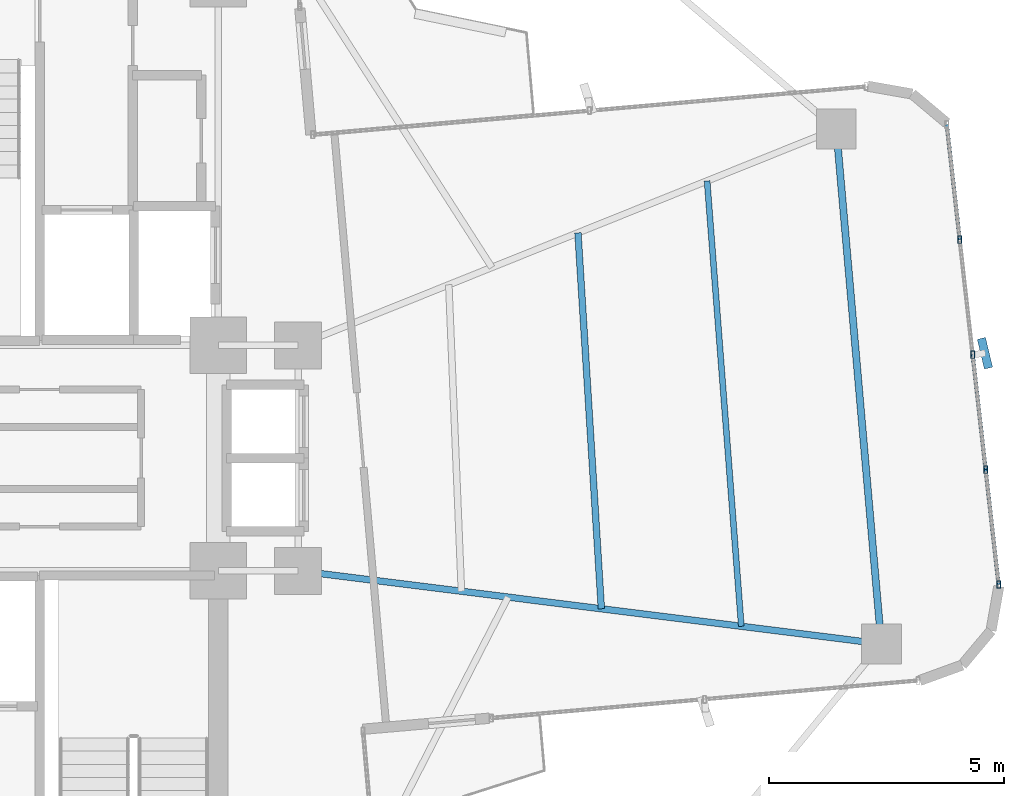
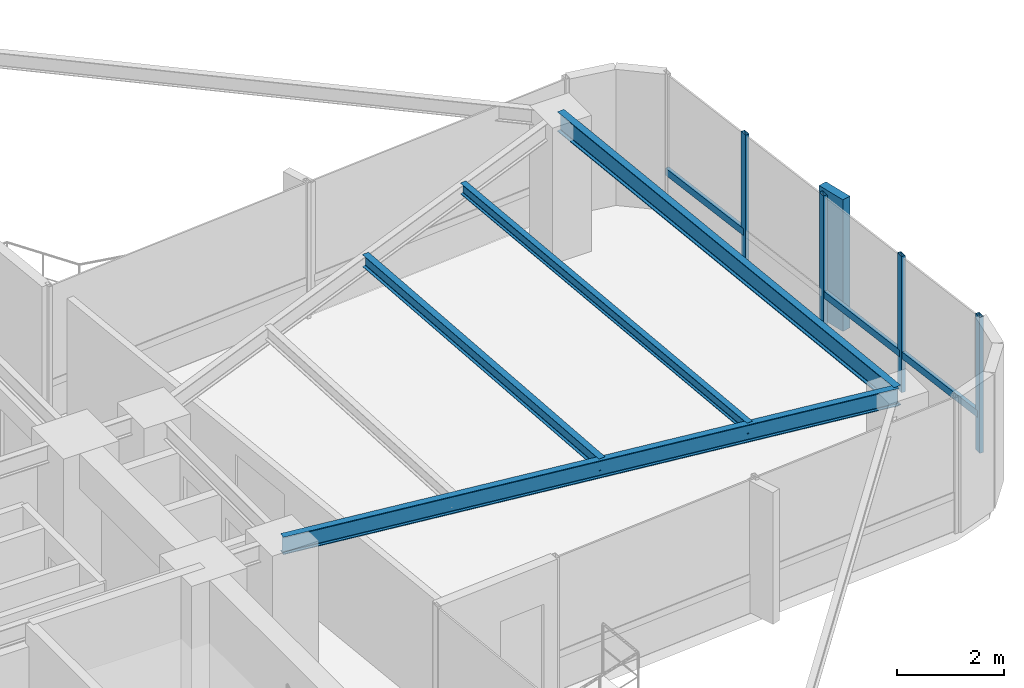
# One storey, part 14 of 24: 8 members, 4 beams, 1 element without a shape of its own.
"""IFC4 building model written with IfcOpenShell, lengths in metres."""

from ifc_helpers import new_model, si_unit, direction, frame, origin, origin_2d, place, context, subcontext, project, spatial, rectangle, hollow_rectangle, i_section, extrude, source, transform, mapped, material, material_profile, profile_set, type_object, element, aggregate, save


model = new_model("IFC4")

# Units and contexts
model_context = context("Model", 3, precision=1e-05, world=origin(), true_north=direction((0.0, 1.0)))
body_context = subcontext(model_context, "Body", "Model", "MODEL_VIEW")
ifc_project = project(units=[si_unit("LENGTHUNIT", "METRE"), si_unit("AREAUNIT", "SQUARE_METRE"), si_unit("VOLUMEUNIT", "CUBIC_METRE"), si_unit("PLANEANGLEUNIT", "RADIAN"), si_unit("MASSUNIT", "GRAM", prefix="KILO")], contexts=[model_context])

# Site, building, storey
site_placement = place(None, origin())
site = spatial("IfcSite", under=ifc_project, at=site_placement, CompositionType="ELEMENT")
building_placement = place(site_placement, origin())
building = spatial("IfcBuilding", under=site, at=building_placement, Name="Sahyath Konkavel Grand Hotel", CompositionType="ELEMENT")
storey_placement = place(building_placement, frame((0.0, 0.0, 185.25)))
storey = spatial("IfcBuildingStorey", under=building, at=storey_placement, Name="L51", CompositionType="ELEMENT", Elevation=185.25)

# Beams
ifc_material_1 = material(Name="Steel E350", Category="steel")
ifc_material_profile_1 = material_profile(ifc_material_1, i_section(OverallWidth=0.139892578125, OverallDepth=0.39990234375, WebThickness=0.0087890625, FlangeThickness=0.01611328125, FilletRadius=0.013916015625, at=origin_2d()), Name="ISMB 400")
ifc_profile_set_1 = profile_set([ifc_material_profile_1], Name="Steel E350")
beam_type_1 = type_object("IfcBeamType", Name="BM-ISMB400", PredefinedType="BEAM", material=ifc_profile_set_1)
shared_shape_1 = source(origin(), body_context, "Body", "SweptSolid", [
    extrude(i_section(OverallWidth=0.139892578125, OverallDepth=0.39990234375, WebThickness=0.0087890625, FlangeThickness=0.01611328125, FilletRadius=0.013916015625, at=origin_2d()), origin(), (0.0, 0.0, 1.0), 12.509765625),
])
beam_1_placement = place(storey_placement, frame((5.5, -2.39990234375, 2.909912109375), z_axis=(0.992254740459, -0.124219684578, 0.0), x_axis=(0.124219684578, 0.992254740459, 0.0)))
element("IfcBeam", 1, at=beam_1_placement, inside=storey, type_object=beam_type_1, Name="L51 Cruciform Radial Girder EA", PredefinedType="BEAM", context=body_context, shape_type="MappedRepresentation", body=[
    mapped(shared_shape_1, transform((0.0, 0.0, 0.0), scale=1.0)),
])
ifc_material_profile_2 = material_profile(ifc_material_1, i_section(OverallWidth=0.14990234375, OverallDepth=0.449951171875, WebThickness=0.009521484375, FlangeThickness=0.017333984375, FilletRadius=0.014892578125, at=origin_2d()), Name="ISMB 450")
ifc_profile_set_2 = profile_set([ifc_material_profile_2], Name="Steel E350")
beam_type_2 = type_object("IfcBeamType", Name="BM-ISMB450", PredefinedType="BEAM", material=ifc_profile_set_2)
shared_shape_2 = source(origin(), body_context, "Body", "SweptSolid", [
    extrude(i_section(OverallWidth=0.14990234375, OverallDepth=0.449951171875, WebThickness=0.009521484375, FlangeThickness=0.017333984375, FilletRadius=0.014892578125, at=origin_2d()), origin(), (0.0, 0.0, 1.0), 11.0),
])
beam_2_placement = place(storey_placement, frame((17.912841796875, -3.953857421875, 2.885009765625), z_axis=(-0.087157314015, 0.996194560622, 0.0), x_axis=(-0.996194560622, -0.087157314015, 0.0)))
element("IfcBeam", 2, at=beam_2_placement, inside=storey, type_object=beam_type_2, Name="L51 Wing Tip Edge Beam E", PredefinedType="BEAM", context=body_context, shape_type="MappedRepresentation", body=[
    mapped(shared_shape_2, transform((0.0, 0.0, 0.0), scale=1.0)),
])
ifc_material_profile_3 = material_profile(ifc_material_1, i_section(OverallWidth=0.139892578125, OverallDepth=0.27490234375, WebThickness=0.00634765625, FlangeThickness=0.0087890625, FilletRadius=0.012939453125, at=origin_2d()), Name="ISLB 275")
ifc_profile_set_3 = profile_set([ifc_material_profile_3], Name="Steel E350")
beam_type_3 = type_object("IfcBeamType", Name="BM-ISLB275", PredefinedType="BEAM", material=ifc_profile_set_3)
shared_shape_3 = source(origin(), body_context, "Body", "SweptSolid", [
    extrude(i_section(OverallWidth=0.139892578125, OverallDepth=0.27490234375, WebThickness=0.00634765625, FlangeThickness=0.0087890625, FilletRadius=0.012939453125, at=origin_2d()), origin(), (0.0, 0.0, 1.0), 8.017822265625),
])
beam_3_placement = place(storey_placement, frame((11.95458984375, -3.2080078125, 2.972412109375), z_axis=(-0.062179233264, 0.998064999362, 0.0), x_axis=(-0.998064999362, -0.062179233264, 0.0)))
element("IfcBeam", 3, at=beam_3_placement, inside=storey, type_object=beam_type_3, Name="L51 Secondary Floor Beam E-2", PredefinedType="BEAM", context=body_context, shape_type="MappedRepresentation", body=[
    mapped(shared_shape_3, transform((0.0, 0.0, 0.0), scale=1.0)),
])
ifc_material_profile_4 = material_profile(ifc_material_1, i_section(OverallWidth=0.125, OverallDepth=0.25, WebThickness=0.0068359375, FlangeThickness=0.012451171875, FilletRadius=0.012939453125, at=origin_2d()), Name="ISMB 250")
ifc_profile_set_4 = profile_set([ifc_material_profile_4], Name="Steel E350")
beam_type_4 = type_object("IfcBeamType", Name="BM-ISMB250", PredefinedType="BEAM", material=ifc_profile_set_4)
shared_shape_4 = source(origin(), body_context, "Body", "SweptSolid", [
    extrude(i_section(OverallWidth=0.125, OverallDepth=0.25, WebThickness=0.0068359375, FlangeThickness=0.012451171875, FilletRadius=0.012939453125, at=origin_2d()), origin(), (0.0, 0.0, 1.0), 9.508056640625),
])
beam_4_placement = place(storey_placement, frame((14.93359375, -3.580810546875, 2.985107421875), z_axis=(-0.076619921029, 0.997060373148, 0.0), x_axis=(-0.997060373148, -0.076619921029, 0.0)))
element("IfcBeam", 4, at=beam_4_placement, inside=storey, type_object=beam_type_4, Name="L51 Secondary Floor Beam E-3", PredefinedType="BEAM", context=body_context, shape_type="MappedRepresentation", body=[
    mapped(shared_shape_4, transform((0.0, 0.0, 0.0), scale=1.0)),
])

# Curtain wall, members
ifc_material_2 = material(Name="Anodised Bronze Aluminium & Low-E Glazing", Category="aluminium")
curtain_wall_type = type_object("IfcCurtainWallType", Name="CW-ZONE3", PredefinedType="NOTDEFINED", material=ifc_material_2)
curtain_wall_placement = place(storey_placement, origin())
curtain_wall = element("IfcCurtainWall", 5, at=curtain_wall_placement, inside=storey, type_object=curtain_wall_type, Name="L51 Unitised Curtain Wall F4", PredefinedType="NOTDEFINED")
ifc_material_3 = material(Name="Warm Buff Sandstone Cladding on Concrete C50/60", Category="masonry")
ifc_material_profile_5 = material_profile(ifc_material_3, rectangle(XDim=0.179931640625, YDim=0.64990234375, at=origin_2d()), Name="FIN 180x650")
ifc_profile_set_5 = profile_set([ifc_material_profile_5], Name="Warm Buff Sandstone Cladding on Concrete C50/60")
member_type_1 = type_object("IfcMemberType", Name="FIN-SANDSTONE-650", PredefinedType="MULLION", material=ifc_profile_set_5)
shared_shape_5 = source(origin(), body_context, "Body", "SweptSolid", [
    extrude(rectangle(XDim=0.179931640625, YDim=0.64990234375, at=origin_2d()), origin(), (0.0, 0.0, 1.0), 3.010009765625),
])
member_1_placement = place(storey_placement, frame((20.1181640625, 2.23095703125, 0.050048828125), z_axis=(0.0, 0.0, 1.0), x_axis=(0.972369920398, 0.233445363856, 0.0)))
member_1 = element("IfcMember", 6, at=member_1_placement, type_object=member_type_1, Name="L51 Sandstone Vertical Solar Fin FIN F4-2", PredefinedType="MULLION", context=body_context, shape_type="MappedRepresentation", body=[
    mapped(shared_shape_5, transform((0.0, 0.0, 0.0), scale=1.0)),
])
ifc_material_4 = material(Name="Anodised Bronze Aluminium", Category="aluminium")
ifc_material_profile_6 = material_profile(ifc_material_4, hollow_rectangle(XDim=0.080078125, YDim=0.159912109375, WallThickness=0.006103515625, at=origin_2d()), Name="RHS 160x80x6")
ifc_profile_set_6 = profile_set([ifc_material_profile_6], Name="Anodised Bronze Aluminium")
member_type_2 = type_object("IfcMemberType", Name="CW-MUL-160", PredefinedType="MULLION", material=ifc_profile_set_6)
shared_shape_6 = source(origin(), body_context, "Body", "SweptSolid", [
    extrude(hollow_rectangle(XDim=0.080078125, YDim=0.159912109375, WallThickness=0.006103515625, at=origin_2d()), origin(), (0.0, 0.0, 1.0), 3.110107421875),
])
member_2_placement = place(storey_placement, frame((20.4111328125, -2.69140625, 0.0), z_axis=(0.0, 0.0, 1.0), x_axis=(1.0, 0.0, 0.0)))
member_2 = element("IfcMember", 7, at=member_2_placement, type_object=member_type_2, Name="L51 Curtain Wall Mullion F4-0", PredefinedType="MULLION", context=body_context, shape_type="MappedRepresentation", body=[
    mapped(shared_shape_6, transform((0.0, 0.0, 0.0), scale=1.0)),
])
member_3_placement = place(storey_placement, frame((20.135498046875, -0.24462890625, 0.0), z_axis=(0.0, 0.0, 1.0), x_axis=(1.0, 0.0, 0.0)))
member_3 = element("IfcMember", 8, at=member_3_placement, type_object=member_type_2, Name="L51 Curtain Wall Mullion F4-1", PredefinedType="MULLION", context=body_context, shape_type="MappedRepresentation", body=[
    mapped(shared_shape_6, transform((0.0, 0.0, 0.0), scale=1.0)),
])
member_4_placement = place(storey_placement, frame((19.859619140625, 2.201904296875, 0.0), z_axis=(0.0, 0.0, 1.0), x_axis=(1.0, 0.0, 0.0)))
member_4 = element("IfcMember", 9, at=member_4_placement, type_object=member_type_2, Name="L51 Curtain Wall Mullion F4-2", PredefinedType="MULLION", context=body_context, shape_type="MappedRepresentation", body=[
    mapped(shared_shape_6, transform((0.0, 0.0, 0.0), scale=1.0)),
])
member_5_placement = place(storey_placement, frame((19.583984375, 4.648193359375, 0.0), z_axis=(0.0, 0.0, 1.0), x_axis=(1.0, 0.0, 0.0)))
member_5 = element("IfcMember", 10, at=member_5_placement, type_object=member_type_2, Name="L51 Curtain Wall Mullion F4-3", PredefinedType="MULLION", context=body_context, shape_type="MappedRepresentation", body=[
    mapped(shared_shape_6, transform((0.0, 0.0, 0.0), scale=1.0)),
])
ifc_material_profile_7 = material_profile(ifc_material_4, hollow_rectangle(XDim=0.080078125, YDim=0.159912109375, WallThickness=0.006103515625, at=origin_2d()), Name="RHS 160x80x6")
ifc_profile_set_7 = profile_set([ifc_material_profile_7], Name="Anodised Bronze Aluminium")
member_type_3 = type_object("IfcMemberType", Name="CW-TRN-160", PredefinedType="USERDEFINED", material=ifc_profile_set_7)
shared_shape_7 = source(origin(), body_context, "Body", "SweptSolid", [
    extrude(hollow_rectangle(XDim=0.080078125, YDim=0.159912109375, WallThickness=0.006103515625, at=origin_2d()), origin(), (0.0, 0.0, 1.0), 2.462158203125),
])
member_6_placement = place(storey_placement, frame((20.4111328125, -2.69140625, 0.85009765625), z_axis=(-0.11194409079, 0.993714506555, 0.0), x_axis=(-0.993714506555, -0.11194409079, 0.0)))
member_6 = element("IfcMember", 11, at=member_6_placement, type_object=member_type_3, Name="L51 Curtain Wall Transom F4-0-spandrel", ObjectType="TRANSOM", PredefinedType="USERDEFINED", context=body_context, shape_type="MappedRepresentation", body=[
    mapped(shared_shape_7, transform((0.0, 0.0, 0.0), scale=1.0)),
])
member_7_placement = place(storey_placement, frame((20.135498046875, -0.24462890625, 0.85009765625), z_axis=(-0.112053040279, 0.99370222711, 0.0), x_axis=(-0.99370222711, -0.112053040279, 0.0)))
member_7 = element("IfcMember", 12, at=member_7_placement, type_object=member_type_3, Name="L51 Curtain Wall Transom F4-1-spandrel", ObjectType="TRANSOM", PredefinedType="USERDEFINED", context=body_context, shape_type="MappedRepresentation", body=[
    mapped(shared_shape_7, transform((0.0, 0.0, 0.0), scale=1.0)),
])
member_8_placement = place(storey_placement, frame((19.583984375, 4.648193359375, 0.85009765625), z_axis=(-0.11194409079, 0.993714506555, 0.0), x_axis=(-0.993714506555, -0.11194409079, 0.0)))
member_8 = element("IfcMember", 13, at=member_8_placement, type_object=member_type_3, Name="L51 Curtain Wall Transom F4-3-spandrel", ObjectType="TRANSOM", PredefinedType="USERDEFINED", context=body_context, shape_type="MappedRepresentation", body=[
    mapped(shared_shape_7, transform((0.0, 0.0, 0.0), scale=1.0)),
])
aggregate(curtain_wall, [member_2, member_3, member_4, member_1, member_5, member_6, member_7, member_8])

save(model, "model.ifc")
